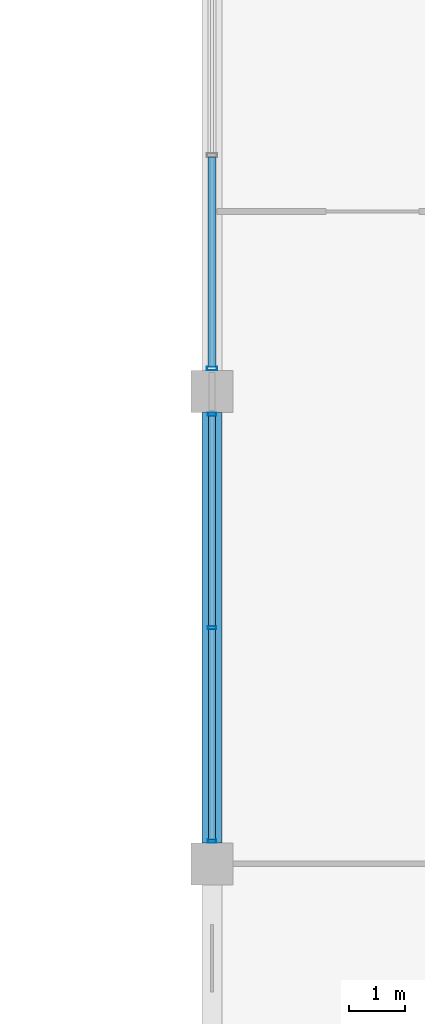
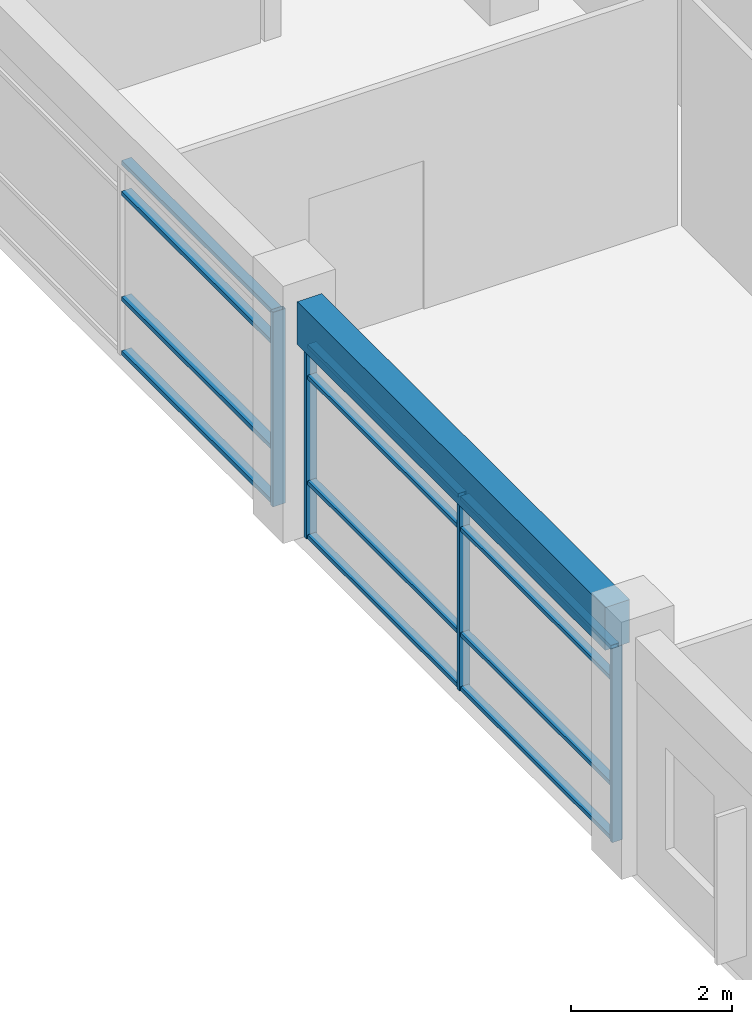
# One storey, part 33 of 72: 16 members, 1 beam, 2 elements without a shape of their own.
"""IFC4 building model written with IfcOpenShell, lengths in metres."""

from ifc_helpers import new_model, si_unit, direction, frame, origin, origin_2d, place, context, subcontext, project, spatial, rectangle, hollow_rectangle, extrude, material, material_profile, profile_set, type_object, element, aggregate, save


model = new_model("IFC4")

# Units and contexts
model_context = context("Model", 3, precision=1e-05, world=origin(), true_north=direction((0.0, 1.0)))
body_context = subcontext(model_context, "Body", "Model", "MODEL_VIEW")
ifc_project = project(units=[si_unit("LENGTHUNIT", "METRE"), si_unit("AREAUNIT", "SQUARE_METRE"), si_unit("VOLUMEUNIT", "CUBIC_METRE"), si_unit("PLANEANGLEUNIT", "RADIAN"), si_unit("MASSUNIT", "GRAM", prefix="KILO"), si_unit("THERMODYNAMICTEMPERATUREUNIT", "KELVIN"), si_unit("POWERUNIT", "WATT")], contexts=[model_context])

# Site, building, storey
site_placement = place(None, origin())
site = spatial("IfcSite", under=ifc_project, at=site_placement, CompositionType="ELEMENT")
building_placement = place(site_placement, origin())
building = spatial("IfcBuilding", under=site, at=building_placement, Name="Srebrne Nadtorze General Hospital", CompositionType="ELEMENT")
storey_placement = place(building_placement, frame((0.0, 0.0, 22.199951171875)))
storey = spatial("IfcBuildingStorey", under=building, at=storey_placement, Name="L05", CompositionType="ELEMENT", Elevation=22.199951171875)

# Curtain wall, members
ifc_material_1 = material(Name="Anodised Aluminium", Category="aluminium")
curtain_wall_type = type_object("IfcCurtainWallType", Name="Unitised curtain wall 7650x2950", PredefinedType="NOTDEFINED", material=ifc_material_1)
curtain_wall_1_placement = place(storey_placement, origin())
curtain_wall_1 = element("IfcCurtainWall", 1, at=curtain_wall_1_placement, inside=storey, type_object=curtain_wall_type, Name="Curtain wall CW-132", PredefinedType="NOTDEFINED")
ifc_material_2 = material(Name="Anodised Aluminium", Category="aluminium")
ifc_material_profile_1 = material_profile(ifc_material_2, hollow_rectangle(XDim=0.06005859375, YDim=0.14990234375, WallThickness=0.00390625, at=origin_2d()), Name="AL-MUL-60x150")
ifc_profile_set_1 = profile_set([ifc_material_profile_1], Name="Anodised Aluminium")
member_type_1 = type_object("IfcMemberType", Name="Curtain mullion 60x150", PredefinedType="MULLION", material=ifc_profile_set_1)
member_1_placement = place(storey_placement, frame((101.39990234375, 34.0048828125, 0.0), z_axis=(0.0, 0.0, 1.0), x_axis=(0.0, 1.0, 0.0)))
member_1 = element("IfcMember", 2, at=member_1_placement, type_object=member_type_1, Name="CW-132 mullion 1", PredefinedType="MULLION", context=body_context, shape_type="SweptSolid", body=[
    extrude(hollow_rectangle(XDim=0.06005859375, YDim=0.14990234375, WallThickness=0.00390625, at=origin_2d()), origin(), (0.0, 0.0, 1.0), 2.949951171875),
])
member_2_placement = place(storey_placement, frame((101.39990234375, 37.800048828125, 0.0), z_axis=(0.0, 0.0, 1.0), x_axis=(0.0, 1.0, 0.0)))
member_2 = element("IfcMember", 3, at=member_2_placement, type_object=member_type_1, Name="CW-132 mullion 2", PredefinedType="MULLION", context=body_context, shape_type="SweptSolid", body=[
    extrude(hollow_rectangle(XDim=0.06005859375, YDim=0.14990234375, WallThickness=0.00390625, at=origin_2d()), origin(), (0.0, 0.0, 1.0), 2.949951171875),
])
member_3_placement = place(storey_placement, frame((101.39990234375, 41.594970703125, 0.0), z_axis=(0.0, 0.0, 1.0), x_axis=(0.0, 1.0, 0.0)))
member_3 = element("IfcMember", 4, at=member_3_placement, type_object=member_type_1, Name="CW-132 mullion 3", PredefinedType="MULLION", context=body_context, shape_type="SweptSolid", body=[
    extrude(hollow_rectangle(XDim=0.06005859375, YDim=0.14990234375, WallThickness=0.00390625, at=origin_2d()), origin(), (0.0, 0.0, 1.0), 2.949951171875),
])

# Curtain wall, member
curtain_wall_2_placement = place(storey_placement, origin())
curtain_wall_2 = element("IfcCurtainWall", 5, at=curtain_wall_2_placement, inside=storey, type_object=curtain_wall_type, Name="Curtain wall CW-133", PredefinedType="NOTDEFINED")
ifc_material_3 = material(Name="Anodised Aluminium", Category="aluminium")
ifc_material_profile_2 = material_profile(ifc_material_3, hollow_rectangle(XDim=0.06494140625, YDim=0.179931640625, WallThickness=0.00390625, at=origin_2d()), Name="AL-MUL-65x180")
ifc_profile_set_2 = profile_set([ifc_material_profile_2], Name="Anodised Aluminium")
member_type_2 = type_object("IfcMemberType", Name="Curtain mullion 65x180", PredefinedType="MULLION", material=ifc_profile_set_2)
member_4_placement = place(storey_placement, frame((101.39990234375, 42.407470703125, 0.0), z_axis=(0.0, 0.0, 1.0), x_axis=(0.0, 1.0, 0.0)))
member_4 = element("IfcMember", 6, at=member_4_placement, type_object=member_type_2, Name="CW-133 mullion 1", PredefinedType="MULLION", context=body_context, shape_type="SweptSolid", body=[
    extrude(hollow_rectangle(XDim=0.06494140625, YDim=0.179931640625, WallThickness=0.00390625, at=origin_2d()), origin(), (0.0, 0.0, 1.0), 2.949951171875),
])

# Member
ifc_material_4 = material(Name="Anodised Aluminium", Category="aluminium")
ifc_material_profile_3 = material_profile(ifc_material_4, hollow_rectangle(XDim=0.06005859375, YDim=0.1201171875, WallThickness=0.00390625, at=origin_2d()), Name="AL-TRN-60x120")
ifc_profile_set_3 = profile_set([ifc_material_profile_3], Name="Anodised Aluminium")
member_type_3 = type_object("IfcMemberType", Name="Curtain transom 60x120", PredefinedType="USERDEFINED", material=ifc_profile_set_3)
member_5_placement = place(storey_placement, frame((101.39990234375, 34.034912109375, 0.030029296875), z_axis=(0.0, 1.0, 0.0), x_axis=(0.0, 0.0, 1.0)))
member_5 = element("IfcMember", 7, at=member_5_placement, type_object=member_type_3, Name="CW-132 transom 1.1", ObjectType="TRANSOM", PredefinedType="USERDEFINED", context=body_context, shape_type="SweptSolid", body=[
    extrude(hollow_rectangle(XDim=0.06005859375, YDim=0.1201171875, WallThickness=0.00390625, at=origin_2d()), origin(), (0.0, 0.0, 1.0), 3.735107421875),
])

member_6_placement = place(storey_placement, frame((101.39990234375, 34.034912109375, 0.85009765625), z_axis=(0.0, 1.0, 0.0), x_axis=(0.0, 0.0, 1.0)))
member_6 = element("IfcMember", 8, at=member_6_placement, type_object=member_type_3, Name="CW-132 transom 1.2", ObjectType="TRANSOM", PredefinedType="USERDEFINED", context=body_context, shape_type="SweptSolid", body=[
    extrude(hollow_rectangle(XDim=0.06005859375, YDim=0.1201171875, WallThickness=0.00390625, at=origin_2d()), origin(), (0.0, 0.0, 1.0), 3.735107421875),
])

member_7_placement = place(storey_placement, frame((101.39990234375, 34.034912109375, 2.449951171875), z_axis=(0.0, 1.0, 0.0), x_axis=(0.0, 0.0, 1.0)))
member_7 = element("IfcMember", 9, at=member_7_placement, type_object=member_type_3, Name="CW-132 transom 1.3", ObjectType="TRANSOM", PredefinedType="USERDEFINED", context=body_context, shape_type="SweptSolid", body=[
    extrude(hollow_rectangle(XDim=0.06005859375, YDim=0.1201171875, WallThickness=0.00390625, at=origin_2d()), origin(), (0.0, 0.0, 1.0), 3.735107421875),
])

member_8_placement = place(storey_placement, frame((101.39990234375, 34.034912109375, 2.920166015625), z_axis=(0.0, 1.0, 0.0), x_axis=(0.0, 0.0, 1.0)))
member_8 = element("IfcMember", 10, at=member_8_placement, type_object=member_type_3, Name="CW-132 transom 1.4", ObjectType="TRANSOM", PredefinedType="USERDEFINED", context=body_context, shape_type="SweptSolid", body=[
    extrude(hollow_rectangle(XDim=0.06005859375, YDim=0.1201171875, WallThickness=0.00390625, at=origin_2d()), origin(), (0.0, 0.0, 1.0), 3.735107421875),
])

member_9_placement = place(storey_placement, frame((101.39990234375, 37.830078125, 0.030029296875), z_axis=(0.0, 1.0, 0.0), x_axis=(0.0, 0.0, 1.0)))
member_9 = element("IfcMember", 11, at=member_9_placement, type_object=member_type_3, Name="CW-132 transom 2.1", ObjectType="TRANSOM", PredefinedType="USERDEFINED", context=body_context, shape_type="SweptSolid", body=[
    extrude(hollow_rectangle(XDim=0.06005859375, YDim=0.1201171875, WallThickness=0.00390625, at=origin_2d()), origin(), (0.0, 0.0, 1.0), 3.73486328125),
])

member_10_placement = place(storey_placement, frame((101.39990234375, 37.830078125, 0.85009765625), z_axis=(0.0, 1.0, 0.0), x_axis=(0.0, 0.0, 1.0)))
member_10 = element("IfcMember", 12, at=member_10_placement, type_object=member_type_3, Name="CW-132 transom 2.2", ObjectType="TRANSOM", PredefinedType="USERDEFINED", context=body_context, shape_type="SweptSolid", body=[
    extrude(hollow_rectangle(XDim=0.06005859375, YDim=0.1201171875, WallThickness=0.00390625, at=origin_2d()), origin(), (0.0, 0.0, 1.0), 3.73486328125),
])

member_11_placement = place(storey_placement, frame((101.39990234375, 37.830078125, 2.449951171875), z_axis=(0.0, 1.0, 0.0), x_axis=(0.0, 0.0, 1.0)))
member_11 = element("IfcMember", 13, at=member_11_placement, type_object=member_type_3, Name="CW-132 transom 2.3", ObjectType="TRANSOM", PredefinedType="USERDEFINED", context=body_context, shape_type="SweptSolid", body=[
    extrude(hollow_rectangle(XDim=0.06005859375, YDim=0.1201171875, WallThickness=0.00390625, at=origin_2d()), origin(), (0.0, 0.0, 1.0), 3.73486328125),
])

member_12_placement = place(storey_placement, frame((101.39990234375, 37.830078125, 2.920166015625), z_axis=(0.0, 1.0, 0.0), x_axis=(0.0, 0.0, 1.0)))
member_12 = element("IfcMember", 14, at=member_12_placement, type_object=member_type_3, Name="CW-132 transom 2.4", ObjectType="TRANSOM", PredefinedType="USERDEFINED", context=body_context, shape_type="SweptSolid", body=[
    extrude(hollow_rectangle(XDim=0.06005859375, YDim=0.1201171875, WallThickness=0.00390625, at=origin_2d()), origin(), (0.0, 0.0, 1.0), 3.73486328125),
])

aggregate(curtain_wall_1, [member_1, member_2, member_3, member_5, member_6, member_7, member_8, member_9, member_10, member_11, member_12])

ifc_material_5 = material(Name="Anodised Aluminium", Category="aluminium")
ifc_material_profile_4 = material_profile(ifc_material_5, hollow_rectangle(XDim=0.06494140625, YDim=0.139892578125, WallThickness=0.00390625, at=origin_2d()), Name="AL-TRN-65x140")
ifc_profile_set_4 = profile_set([ifc_material_profile_4], Name="Anodised Aluminium")
member_type_4 = type_object("IfcMemberType", Name="Curtain transom 65x140", PredefinedType="USERDEFINED", material=ifc_profile_set_4)
member_13_placement = place(storey_placement, frame((101.39990234375, 42.43994140625, 0.032470703125), z_axis=(0.0, 1.0, 0.0), x_axis=(0.0, 0.0, 1.0)))
member_13 = element("IfcMember", 15, at=member_13_placement, type_object=member_type_4, Name="CW-133 transom 1.1", ObjectType="TRANSOM", PredefinedType="USERDEFINED", context=body_context, shape_type="SweptSolid", body=[
    extrude(hollow_rectangle(XDim=0.06494140625, YDim=0.139892578125, WallThickness=0.00390625, at=origin_2d()), origin(), (0.0, 0.0, 1.0), 3.7275390625),
])

member_14_placement = place(storey_placement, frame((101.39990234375, 42.43994140625, 0.85009765625), z_axis=(0.0, 1.0, 0.0), x_axis=(0.0, 0.0, 1.0)))
member_14 = element("IfcMember", 16, at=member_14_placement, type_object=member_type_4, Name="CW-133 transom 1.2", ObjectType="TRANSOM", PredefinedType="USERDEFINED", context=body_context, shape_type="SweptSolid", body=[
    extrude(hollow_rectangle(XDim=0.06494140625, YDim=0.139892578125, WallThickness=0.00390625, at=origin_2d()), origin(), (0.0, 0.0, 1.0), 3.7275390625),
])

member_15_placement = place(storey_placement, frame((101.39990234375, 42.43994140625, 2.449951171875), z_axis=(0.0, 1.0, 0.0), x_axis=(0.0, 0.0, 1.0)))
member_15 = element("IfcMember", 17, at=member_15_placement, type_object=member_type_4, Name="CW-133 transom 1.3", ObjectType="TRANSOM", PredefinedType="USERDEFINED", context=body_context, shape_type="SweptSolid", body=[
    extrude(hollow_rectangle(XDim=0.06494140625, YDim=0.139892578125, WallThickness=0.00390625, at=origin_2d()), origin(), (0.0, 0.0, 1.0), 3.7275390625),
])

member_16_placement = place(storey_placement, frame((101.39990234375, 42.43994140625, 2.91748046875), z_axis=(0.0, 1.0, 0.0), x_axis=(0.0, 0.0, 1.0)))
member_16 = element("IfcMember", 18, at=member_16_placement, type_object=member_type_4, Name="CW-133 transom 1.4", ObjectType="TRANSOM", PredefinedType="USERDEFINED", context=body_context, shape_type="SweptSolid", body=[
    extrude(hollow_rectangle(XDim=0.06494140625, YDim=0.139892578125, WallThickness=0.00390625, at=origin_2d()), origin(), (0.0, 0.0, 1.0), 3.7275390625),
])

aggregate(curtain_wall_2, [member_4, member_13, member_14, member_15, member_16])

# Beam
ifc_material_6 = material(Name="Concrete C35/45", Category="concrete")
ifc_material_profile_5 = material_profile(ifc_material_6, rectangle(XDim=0.35009765625, YDim=0.64990234375, at=origin_2d()), Name="RC-BM-350x650")
ifc_profile_set_5 = profile_set([ifc_material_profile_5], Name="Concrete C35/45")
beam_type = type_object("IfcBeamType", Name="Edge beam RC 350x650", PredefinedType="BEAM", material=ifc_profile_set_5)
beam_placement = place(storey_placement, frame((101.39990234375, 33.97509765625, 3.275146484375), z_axis=(0.0, 1.0, 0.0), x_axis=(-1.0, 0.0, 0.0)))
element("IfcBeam", 19, at=beam_placement, inside=storey, type_object=beam_type, Name="Beam BM-L05-Y-1097", PredefinedType="BEAM", context=body_context, shape_type="SweptSolid", body=[
    extrude(rectangle(XDim=0.35009765625, YDim=0.64990234375, at=origin_2d()), origin(), (0.0, 0.0, 1.0), 7.64990234375),
])

save(model, "model.ifc")
